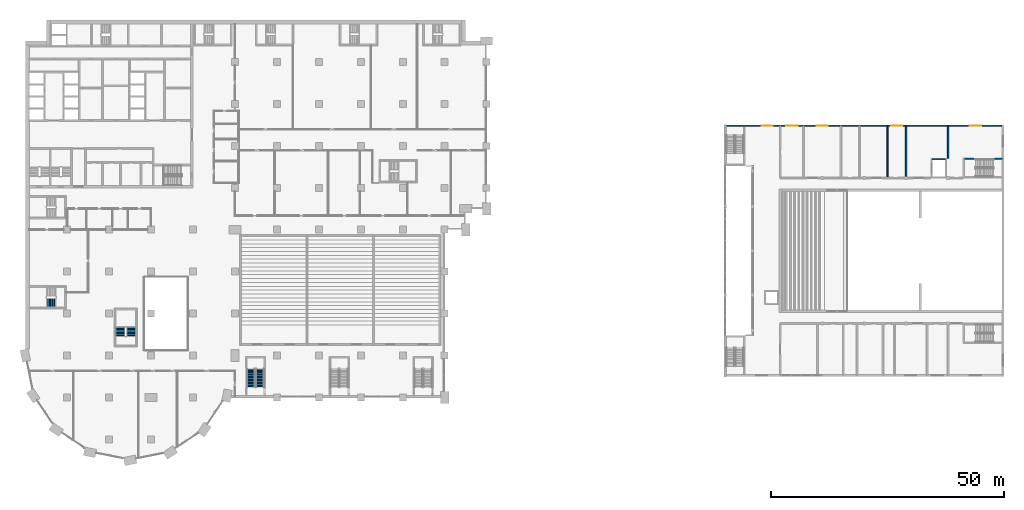
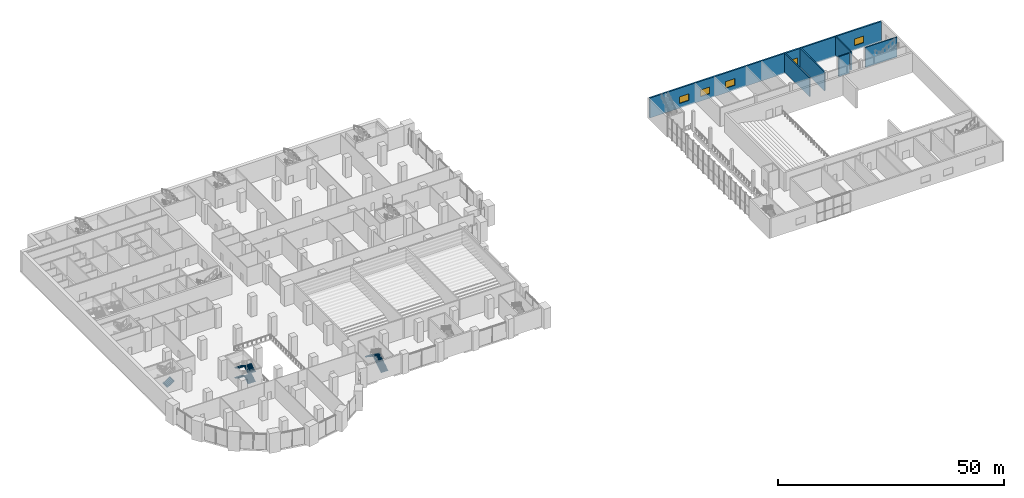
# One storey, part 24 of 44: 7 stair flights, 6 walls, 5 windows, 5 openings, 3 elements without a shape of their own.
"""IFC4 building model written with IfcOpenShell, lengths in metres."""

from ifc_helpers import new_model, si_unit, direction, frame, frame_2d, origin, place, context, subcontext, project, spatial, polyline, rectangle, outline, extrude, material, layer, layer_set, type_object, element, fill, aggregate, save


model = new_model("IFC4")

# Units and contexts
model_context = context("Model", 3, precision=1e-05, world=origin(), true_north=direction((0.0, 1.0)))
body_context = subcontext(model_context, "Body", "Model", "MODEL_VIEW")
ifc_project = project(units=[si_unit("LENGTHUNIT", "METRE"), si_unit("AREAUNIT", "SQUARE_METRE"), si_unit("VOLUMEUNIT", "CUBIC_METRE"), si_unit("PLANEANGLEUNIT", "RADIAN"), si_unit("MASSUNIT", "GRAM", prefix="KILO")], contexts=[model_context])

# Site, building, storey
site_placement = place(None, origin())
site = spatial("IfcSite", under=ifc_project, at=site_placement, CompositionType="ELEMENT")
building_placement = place(site_placement, origin())
building = spatial("IfcBuilding", under=site, at=building_placement, Name="Hunhe Ridgeline Campus", CompositionType="ELEMENT")
storey_placement = place(building_placement, frame((0.0, 0.0, 6.0)))
storey = spatial("IfcBuildingStorey", under=building, at=storey_placement, Name="L01", CompositionType="ELEMENT", Elevation=6.0)

# Walls
ifc_material_1 = material(Name="Plastered blockwork", Category="masonry")
ifc_layer_1 = layer(ifc_material_1, 0.300048828125)
ifc_layer_set_1 = layer_set([ifc_layer_1], Name="Hall blockwork partition 300")
wall_type_1 = type_object("IfcWallType", Name="Hall blockwork partition 300", PredefinedType="PARTITIONING", material=ifc_layer_set_1)
wall_1_placement = place(storey_placement, frame((198.0, 69.3798828125, 0.0), z_axis=(0.0, 0.0, 1.0), x_axis=(0.0, 1.0, 0.0)))
element("IfcWall", 1, at=wall_1_placement, inside=storey, type_object=wall_type_1, Name="L01 partition", PredefinedType="PARTITIONING", context=body_context, shape_type="SweptSolid", body=[
    extrude(rectangle(XDim=6.89013671875, YDim=0.300048828125, at=frame_2d((3.445068359375, 0.0))), origin(), (0.0, 0.0, 1.0), 5.050048828125),
])
wall_2_placement = place(storey_placement, frame((185.0, 65.080078125, 0.0), z_axis=(0.0, 0.0, 1.0), x_axis=(0.0, 1.0, 0.0)))
element("IfcWall", 2, at=wall_2_placement, inside=storey, type_object=wall_type_1, Name="L01 partition", PredefinedType="PARTITIONING", context=body_context, shape_type="SweptSolid", body=[
    extrude(rectangle(XDim=11.18994140625, YDim=0.300048828125, at=frame_2d((5.594970703125, 0.0))), origin(), (0.0, 0.0, 1.0), 5.050048828125),
])
wall_3_placement = place(storey_placement, frame((189.0, 65.39990234375, 0.0), z_axis=(0.0, 0.0, 1.0), x_axis=(0.0, 1.0, 0.0)))
element("IfcWall", 3, at=wall_3_placement, inside=storey, type_object=wall_type_1, Name="L01 partition", PredefinedType="PARTITIONING", context=body_context, shape_type="SweptSolid", body=[
    extrude(rectangle(XDim=10.8701171875, YDim=0.300048828125, at=frame_2d((5.43505859375, 0.0))), origin(), (0.0, 0.0, 1.0), 5.050048828125),
])

# Wall, openings, windows
ifc_material_2 = material(Name="Concrete C40", Category="concrete")
ifc_layer_2 = layer(ifc_material_2, 0.39990234375)
ifc_layer_set_2 = layer_set([ifc_layer_2], Name="Hall external RC wall 400 C40")
wall_type_2 = type_object("IfcWallType", Name="Hall external RC wall 400 C40", PredefinedType="SOLIDWALL", material=ifc_layer_set_2)
wall_4_placement = place(storey_placement, frame((150.39990234375, 76.300048828125, -0.35009765625), z_axis=(0.0, 0.0, 1.0), x_axis=(1.0, 0.0, 0.0)))
wall_4 = element("IfcWall", 4, at=wall_4_placement, inside=storey, type_object=wall_type_2, Name="Hall L01 north wall", PredefinedType="SOLIDWALL", context=body_context, shape_type="SweptSolid", body=[
    extrude(rectangle(XDim=59.2001953125, YDim=0.39990234375, at=frame_2d((29.60009765625, 0.0))), origin(), (0.0, 0.0, 1.0), 5.400146484375),
])
opening_1_placement = place(wall_4_placement, frame((7.60009765625, 0.0, 1.25)))
opening_1 = element("IfcOpeningElement", 5, at=opening_1_placement, cuts=wall_4, Name="Opening HWN05", PredefinedType="OPENING", context=body_context, shape_type="SweptSolid", body=[
    extrude(rectangle(XDim=2.39990234375, YDim=1.800048828125, at=frame_2d((1.199951171875, 0.89990234375))), frame((0.0, 0.199951171875, 0.0), z_axis=(0.0, -1.0, 0.0), x_axis=(1.0, 0.0, 0.0)), (0.0, 0.0, 1.0), 0.39990234375),
])
opening_2_placement = place(wall_4_placement, frame((12.89990234375, 0.0, 1.25)))
opening_2 = element("IfcOpeningElement", 6, at=opening_2_placement, cuts=wall_4, Name="Opening HWN23", PredefinedType="OPENING", context=body_context, shape_type="SweptSolid", body=[
    extrude(rectangle(XDim=2.39990234375, YDim=1.800048828125, at=frame_2d((1.199951171875, 0.89990234375))), frame((0.0, 0.199951171875, 0.0), z_axis=(0.0, -1.0, 0.0), x_axis=(1.0, 0.0, 0.0)), (0.0, 0.0, 1.0), 0.39990234375),
])
opening_3_placement = place(wall_4_placement, frame((19.39990234375, 0.0, 1.25)))
opening_3 = element("IfcOpeningElement", 7, at=opening_3_placement, cuts=wall_4, Name="Opening HWN24", PredefinedType="OPENING", context=body_context, shape_type="SweptSolid", body=[
    extrude(rectangle(XDim=2.39990234375, YDim=1.800048828125, at=frame_2d((1.199951171875, 0.89990234375))), frame((0.0, 0.199951171875, 0.0), z_axis=(0.0, -1.0, 0.0), x_axis=(1.0, 0.0, 0.0)), (0.0, 0.0, 1.0), 0.39990234375),
])
opening_4_placement = place(wall_4_placement, frame((35.39990234375, 0.0, 1.25)))
opening_4 = element("IfcOpeningElement", 8, at=opening_4_placement, cuts=wall_4, Name="Opening HWN25", PredefinedType="OPENING", context=body_context, shape_type="SweptSolid", body=[
    extrude(rectangle(XDim=2.39990234375, YDim=1.800048828125, at=frame_2d((1.199951171875, 0.89990234375))), frame((0.0, 0.199951171875, 0.0), z_axis=(0.0, -1.0, 0.0), x_axis=(1.0, 0.0, 0.0)), (0.0, 0.0, 1.0), 0.39990234375),
])
opening_5_placement = place(wall_4_placement, frame((52.280029296875, 0.0, 1.25)))
opening_5 = element("IfcOpeningElement", 9, at=opening_5_placement, cuts=wall_4, Name="Opening HWN26", PredefinedType="OPENING", context=body_context, shape_type="SweptSolid", body=[
    extrude(rectangle(XDim=2.39990234375, YDim=1.800048828125, at=frame_2d((1.199951171875, 0.89990234375))), frame((0.0, 0.199951171875, 0.0), z_axis=(0.0, -1.0, 0.0), x_axis=(1.0, 0.0, 0.0)), (0.0, 0.0, 1.0), 0.39990234375),
])
ifc_material_3 = material(Name="Aluminium and glass", Category="aluminium")
window_type = type_object("IfcWindowType", Name="Hall window 2400x1800", PartitioningType="SINGLE_PANEL", PredefinedType="WINDOW", material=ifc_material_3)
window_1_placement = place(opening_1_placement, origin())
window_1 = element("IfcWindow", 10, at=window_1_placement, inside=storey, type_object=window_type, Name="L01 window", OverallHeight=1.800048828125, OverallWidth=2.39990234375, PartitioningType="SINGLE_PANEL", PredefinedType="WINDOW", context=body_context, shape_type="SweptSolid", body=[
    extrude(rectangle(XDim=2.39990234375, YDim=1.800048828125, at=frame_2d((1.199951171875, 0.89990234375))), frame((0.0, 0.030029296875, 0.0), z_axis=(0.0, -1.0, 0.0), x_axis=(1.0, 0.0, 0.0)), (0.0, 0.0, 1.0), 0.06005859375),
])
fill(opening_1, window_1)
window_2_placement = place(opening_2_placement, origin())
window_2 = element("IfcWindow", 11, at=window_2_placement, inside=storey, type_object=window_type, Name="L01 window", OverallHeight=1.800048828125, OverallWidth=2.39990234375, PartitioningType="SINGLE_PANEL", PredefinedType="WINDOW", context=body_context, shape_type="SweptSolid", body=[
    extrude(rectangle(XDim=2.39990234375, YDim=1.800048828125, at=frame_2d((1.199951171875, 0.89990234375))), frame((0.0, 0.030029296875, 0.0), z_axis=(0.0, -1.0, 0.0), x_axis=(1.0, 0.0, 0.0)), (0.0, 0.0, 1.0), 0.06005859375),
])
fill(opening_2, window_2)
window_3_placement = place(opening_3_placement, origin())
window_3 = element("IfcWindow", 12, at=window_3_placement, inside=storey, type_object=window_type, Name="L01 window", OverallHeight=1.800048828125, OverallWidth=2.39990234375, PartitioningType="SINGLE_PANEL", PredefinedType="WINDOW", context=body_context, shape_type="SweptSolid", body=[
    extrude(rectangle(XDim=2.39990234375, YDim=1.800048828125, at=frame_2d((1.199951171875, 0.89990234375))), frame((0.0, 0.030029296875, 0.0), z_axis=(0.0, -1.0, 0.0), x_axis=(1.0, 0.0, 0.0)), (0.0, 0.0, 1.0), 0.06005859375),
])
fill(opening_3, window_3)
window_4_placement = place(opening_4_placement, origin())
window_4 = element("IfcWindow", 13, at=window_4_placement, inside=storey, type_object=window_type, Name="L01 window", OverallHeight=1.800048828125, OverallWidth=2.39990234375, PartitioningType="SINGLE_PANEL", PredefinedType="WINDOW", context=body_context, shape_type="SweptSolid", body=[
    extrude(rectangle(XDim=2.39990234375, YDim=1.800048828125, at=frame_2d((1.199951171875, 0.89990234375))), frame((0.0, 0.030029296875, 0.0), z_axis=(0.0, -1.0, 0.0), x_axis=(1.0, 0.0, 0.0)), (0.0, 0.0, 1.0), 0.06005859375),
])
fill(opening_4, window_4)
window_5_placement = place(opening_5_placement, origin())
window_5 = element("IfcWindow", 14, at=window_5_placement, inside=storey, type_object=window_type, Name="L01 window", OverallHeight=1.800048828125, OverallWidth=2.39990234375, PartitioningType="SINGLE_PANEL", PredefinedType="WINDOW", context=body_context, shape_type="SweptSolid", body=[
    extrude(rectangle(XDim=2.39990234375, YDim=1.800048828125, at=frame_2d((1.199951171875, 0.89990234375))), frame((0.0, 0.030029296875, 0.0), z_axis=(0.0, -1.0, 0.0), x_axis=(1.0, 0.0, 0.0)), (0.0, 0.0, 1.0), 0.06005859375),
])
fill(opening_5, window_5)

# Walls
ifc_layer_3 = layer(ifc_material_2, 0.25)
ifc_layer_set_3 = layer_set([ifc_layer_3], Name="Hall shaft wall 250 C40")
wall_type_3 = type_object("IfcWallType", Name="Hall shaft wall 250 C40", PredefinedType="SOLIDWALL", material=ifc_layer_set_3)
wall_5_placement = place(storey_placement, frame((201.5, 69.22509765625, -0.35009765625), z_axis=(0.0, 0.0, 1.0), x_axis=(1.0, 0.0, 0.0)))
element("IfcWall", 15, at=wall_5_placement, inside=storey, type_object=wall_type_3, Name="L01 stair HS4 shaft wall", PredefinedType="SOLIDWALL", context=body_context, shape_type="SweptSolid", body=[
    extrude(rectangle(XDim=8.10009765625, YDim=0.25, at=frame_2d((4.050048828125, 0.0))), origin(), (0.0, 0.0, 1.0), 5.400146484375),
])
wall_6_placement = place(storey_placement, frame((194.60009765625, 69.125, -0.35009765625), z_axis=(0.0, 0.0, 1.0), x_axis=(1.0, 0.0, 0.0)))
element("IfcWall", 16, at=wall_6_placement, inside=storey, type_object=wall_type_3, Name="L01 lift HL2 shaft wall", PredefinedType="SOLIDWALL", context=body_context, shape_type="SweptSolid", body=[
    extrude(rectangle(XDim=2.7998046875, YDim=0.25, at=frame_2d((1.39990234375, 0.0))), origin(), (0.0, 0.0, 1.0), 5.400146484375),
])

# Stair, stair flights
stair_type_1 = type_object("IfcStairType", Name="Podium exit stair 1800", PredefinedType="HALF_TURN_STAIR", material=ifc_material_2)
stair_1_placement = place(storey_placement, origin())
stair_1 = element("IfcStair", 17, at=stair_1_placement, inside=storey, type_object=stair_type_1, Name="L01 podium stair PS1", PredefinedType="HALF_TURN_STAIR")
stair_flight_type_1 = type_object("IfcStairFlightType", Name="Podium stair flight 1800", PredefinedType="STRAIGHT", material=ifc_material_2)
stair_flight_1_placement = place(storey_placement, frame((50.35009765625, 20.199951171875, 0.0), z_axis=(0.0, 0.0, 1.0), x_axis=(0.0, 1.0, 0.0)))
stair_flight_1 = element("IfcStairFlight", 18, at=stair_flight_1_placement, type_object=stair_flight_type_1, Name="PS1 flight 1", NumberOfRisers=16, NumberOfTreads=15, PredefinedType="STRAIGHT", RiserHeight=0.16875, TreadLength=0.26, context=body_context, shape_type="SweptSolid", body=[
    extrude(outline(polyline([(0.0, 0.0), (0.0, 0.168701171875), (0.260009765625, 0.168701171875), (0.260009765625, 0.33740234375), (0.52001953125, 0.33740234375), (0.52001953125, 0.50634765625), (0.780029296875, 0.50634765625), (0.780029296875, 0.675048828125), (1.0400390625, 0.675048828125), (1.0400390625, 0.84375), (1.300048828125, 0.84375), (1.300048828125, 1.012451171875), (1.56005859375, 1.012451171875), (1.56005859375, 1.18115234375), (1.820068359375, 1.18115234375), (1.820068359375, 1.35009765625), (2.080078125, 1.35009765625), (2.080078125, 1.518798828125), (2.340087890625, 1.518798828125), (2.340087890625, 1.6875), (2.60009765625, 1.6875), (2.60009765625, 1.856201171875), (2.860107421875, 1.856201171875), (2.860107421875, 2.02490234375), (3.1201171875, 2.02490234375), (3.1201171875, 2.19384765625), (3.3798828125, 2.19384765625), (3.3798828125, 2.362548828125), (3.639892578125, 2.362548828125), (3.639892578125, 2.53125), (3.89990234375, 2.53125), (3.89990234375, 2.699951171875), (3.89990234375, 2.3525390625), (0.275390625, 0.0), (0.0, 0.0)])), frame((0.0, 0.89990234375, 0.0), z_axis=(0.0, -1.0, 0.0), x_axis=(1.0, 0.0, 0.0)), (0.0, 0.0, 1.0), 1.800048828125),
])
stair_flight_2_placement = place(storey_placement, frame((48.39990234375, 24.10009765625, 2.699951171875), z_axis=(0.0, 0.0, 1.0), x_axis=(0.0, -1.0, 0.0)))
stair_flight_2 = element("IfcStairFlight", 19, at=stair_flight_2_placement, type_object=stair_flight_type_1, Name="PS1 flight 2", NumberOfRisers=16, NumberOfTreads=15, PredefinedType="STRAIGHT", RiserHeight=0.16875, TreadLength=0.26, context=body_context, shape_type="SweptSolid", body=[
    extrude(outline(polyline([(0.0, 0.0), (0.0, 0.168701171875), (0.260009765625, 0.168701171875), (0.260009765625, 0.33740234375), (0.52001953125, 0.33740234375), (0.52001953125, 0.50634765625), (0.780029296875, 0.50634765625), (0.780029296875, 0.675048828125), (1.0400390625, 0.675048828125), (1.0400390625, 0.84375), (1.300048828125, 0.84375), (1.300048828125, 1.012451171875), (1.56005859375, 1.012451171875), (1.56005859375, 1.18115234375), (1.820068359375, 1.18115234375), (1.820068359375, 1.35009765625), (2.080078125, 1.35009765625), (2.080078125, 1.518798828125), (2.340087890625, 1.518798828125), (2.340087890625, 1.6875), (2.60009765625, 1.6875), (2.60009765625, 1.856201171875), (2.860107421875, 1.856201171875), (2.860107421875, 2.02490234375), (3.1201171875, 2.02490234375), (3.1201171875, 2.19384765625), (3.3798828125, 2.19384765625), (3.3798828125, 2.362548828125), (3.639892578125, 2.362548828125), (3.639892578125, 2.53125), (3.89990234375, 2.53125), (3.89990234375, 2.699951171875), (3.89990234375, 2.3525390625), (0.275390625, 0.0), (0.0, 0.0)])), frame((0.0, 0.89990234375, 0.0), z_axis=(0.0, -1.0, 0.0), x_axis=(1.0, 0.0, 0.0)), (0.0, 0.0, 1.0), 1.800048828125),
])
aggregate(stair_1, [stair_flight_1, stair_flight_2])

stair_type_2 = type_object("IfcStairType", Name="Reinforced concrete dog-leg stair 1950 Concrete C40", PredefinedType="HALF_TURN_STAIR", material=ifc_material_2)
stair_2_placement = place(storey_placement, origin())
stair_2 = element("IfcStair", 20, at=stair_2_placement, inside=storey, type_object=stair_type_2, Name="L01 W3", PredefinedType="HALF_TURN_STAIR")
stair_flight_type_2 = type_object("IfcStairFlightType", Name="Reinforced concrete stair flight 1950 Concrete C40", PredefinedType="STRAIGHT", material=ifc_material_2)
stair_flight_3_placement = place(storey_placement, frame((22.72509765625, 31.14990234375, 0.0), z_axis=(0.0, 0.0, 1.0), x_axis=(0.0, 1.0, 0.0)))
stair_flight_3 = element("IfcStairFlight", 21, at=stair_flight_3_placement, type_object=stair_flight_type_2, Name="ST9 flight 1", NumberOfRisers=8, NumberOfTreads=7, PredefinedType="STRAIGHT", RiserHeight=0.16875, TreadLength=0.28, context=body_context, shape_type="SweptSolid", body=[
    extrude(outline(polyline([(0.0, 0.0), (0.0, 0.168701171875), (0.280029296875, 0.168701171875), (0.280029296875, 0.33740234375), (0.56005859375, 0.33740234375), (0.56005859375, 0.50634765625), (0.840087890625, 0.50634765625), (0.840087890625, 0.675048828125), (1.1201171875, 0.675048828125), (1.1201171875, 0.84375), (1.39990234375, 0.84375), (1.39990234375, 1.012451171875), (1.679931640625, 1.012451171875), (1.679931640625, 1.18115234375), (1.9599609375, 1.18115234375), (1.9599609375, 1.35009765625), (1.9599609375, 1.00634765625), (0.29052734375, 0.0), (0.0, 0.0)])), frame((0.0, 0.97509765625, 0.0), z_axis=(0.0, -1.0, 0.0), x_axis=(1.0, 0.0, 0.0)), (0.0, 0.0, 1.0), 1.949951171875),
    extrude(outline(polyline([(0.030029296875, 0.030029296875), (0.030029296875, 0.138916015625), (0.31005859375, 0.138916015625), (0.31005859375, 0.3076171875), (0.590087890625, 0.3076171875), (0.590087890625, 0.476318359375), (0.8701171875, 0.476318359375), (0.8701171875, 0.64501953125), (1.14990234375, 0.64501953125), (1.14990234375, 0.813720703125), (1.429931640625, 0.813720703125), (1.429931640625, 0.982421875), (1.7099609375, 0.982421875), (1.7099609375, 1.1513671875), (1.929931640625, 1.1513671875), (1.929931640625, 1.023193359375), (0.281982421875, 0.030029296875), (0.030029296875, 0.030029296875)])), frame((0.0, -0.070068359375, 0.0), z_axis=(0.0, -1.0, 0.0), x_axis=(1.0, 0.0, 0.0)), (0.0, 0.0, 1.0), 0.019775390625),
    extrude(outline(polyline([(0.030029296875, 0.030029296875), (0.030029296875, 0.138916015625), (0.31005859375, 0.138916015625), (0.31005859375, 0.3076171875), (0.590087890625, 0.3076171875), (0.590087890625, 0.476318359375), (0.8701171875, 0.476318359375), (0.8701171875, 0.64501953125), (1.14990234375, 0.64501953125), (1.14990234375, 0.813720703125), (1.429931640625, 0.813720703125), (1.429931640625, 0.982421875), (1.7099609375, 0.982421875), (1.7099609375, 1.1513671875), (1.929931640625, 1.1513671875), (1.929931640625, 1.023193359375), (0.281982421875, 0.030029296875), (0.030029296875, 0.030029296875)])), frame((0.0, 0.010009765625, 0.0), z_axis=(0.0, -1.0, 0.0), x_axis=(1.0, 0.0, 0.0)), (0.0, 0.0, 1.0), 0.019775390625),
    extrude(outline(polyline([(0.030029296875, 0.030029296875), (0.030029296875, 0.138916015625), (0.31005859375, 0.138916015625), (0.31005859375, 0.3076171875), (0.590087890625, 0.3076171875), (0.590087890625, 0.476318359375), (0.8701171875, 0.476318359375), (0.8701171875, 0.64501953125), (1.14990234375, 0.64501953125), (1.14990234375, 0.813720703125), (1.429931640625, 0.813720703125), (1.429931640625, 0.982421875), (1.7099609375, 0.982421875), (1.7099609375, 1.1513671875), (1.929931640625, 1.1513671875), (1.929931640625, 1.023193359375), (0.281982421875, 0.030029296875), (0.030029296875, 0.030029296875)])), frame((0.0, 0.090087890625, 0.0), z_axis=(0.0, -1.0, 0.0), x_axis=(1.0, 0.0, 0.0)), (0.0, 0.0, 1.0), 0.019775390625),
])
stair_flight_4_placement = place(storey_placement, frame((20.375, 33.110107421875, 1.35009765625), z_axis=(0.0, 0.0, 1.0), x_axis=(0.0, -1.0, 0.0)))
stair_flight_4 = element("IfcStairFlight", 22, at=stair_flight_4_placement, type_object=stair_flight_type_2, Name="ST9 flight 2", NumberOfRisers=8, NumberOfTreads=7, PredefinedType="STRAIGHT", RiserHeight=0.16875, TreadLength=0.28, context=body_context, shape_type="SweptSolid", body=[
    extrude(outline(polyline([(0.0, 0.0), (0.0, 0.168701171875), (0.280029296875, 0.168701171875), (0.280029296875, 0.33740234375), (0.56005859375, 0.33740234375), (0.56005859375, 0.50634765625), (0.840087890625, 0.50634765625), (0.840087890625, 0.675048828125), (1.1201171875, 0.675048828125), (1.1201171875, 0.84375), (1.39990234375, 0.84375), (1.39990234375, 1.012451171875), (1.679931640625, 1.012451171875), (1.679931640625, 1.18115234375), (1.9599609375, 1.18115234375), (1.9599609375, 1.35009765625), (1.9599609375, 1.00634765625), (0.29052734375, 0.0), (0.0, 0.0)])), frame((0.0, 0.97509765625, 0.0), z_axis=(0.0, -1.0, 0.0), x_axis=(1.0, 0.0, 0.0)), (0.0, 0.0, 1.0), 1.949951171875),
    extrude(outline(polyline([(0.030029296875, 0.030029296875), (0.030029296875, 0.138916015625), (0.31005859375, 0.138916015625), (0.31005859375, 0.3076171875), (0.590087890625, 0.3076171875), (0.590087890625, 0.476318359375), (0.8701171875, 0.476318359375), (0.8701171875, 0.64501953125), (1.14990234375, 0.64501953125), (1.14990234375, 0.813720703125), (1.429931640625, 0.813720703125), (1.429931640625, 0.982421875), (1.7099609375, 0.982421875), (1.7099609375, 1.1513671875), (1.929931640625, 1.1513671875), (1.929931640625, 1.023193359375), (0.281982421875, 0.030029296875), (0.030029296875, 0.030029296875)])), frame((0.0, -0.070068359375, 0.0), z_axis=(0.0, -1.0, 0.0), x_axis=(1.0, 0.0, 0.0)), (0.0, 0.0, 1.0), 0.019775390625),
    extrude(outline(polyline([(0.030029296875, 0.030029296875), (0.030029296875, 0.138916015625), (0.31005859375, 0.138916015625), (0.31005859375, 0.3076171875), (0.590087890625, 0.3076171875), (0.590087890625, 0.476318359375), (0.8701171875, 0.476318359375), (0.8701171875, 0.64501953125), (1.14990234375, 0.64501953125), (1.14990234375, 0.813720703125), (1.429931640625, 0.813720703125), (1.429931640625, 0.982421875), (1.7099609375, 0.982421875), (1.7099609375, 1.1513671875), (1.929931640625, 1.1513671875), (1.929931640625, 1.023193359375), (0.281982421875, 0.030029296875), (0.030029296875, 0.030029296875)])), frame((0.0, 0.010009765625, 0.0), z_axis=(0.0, -1.0, 0.0), x_axis=(1.0, 0.0, 0.0)), (0.0, 0.0, 1.0), 0.019775390625),
    extrude(outline(polyline([(0.030029296875, 0.030029296875), (0.030029296875, 0.138916015625), (0.31005859375, 0.138916015625), (0.31005859375, 0.3076171875), (0.590087890625, 0.3076171875), (0.590087890625, 0.476318359375), (0.8701171875, 0.476318359375), (0.8701171875, 0.64501953125), (1.14990234375, 0.64501953125), (1.14990234375, 0.813720703125), (1.429931640625, 0.813720703125), (1.429931640625, 0.982421875), (1.7099609375, 0.982421875), (1.7099609375, 1.1513671875), (1.929931640625, 1.1513671875), (1.929931640625, 1.023193359375), (0.281982421875, 0.030029296875), (0.030029296875, 0.030029296875)])), frame((0.0, 0.090087890625, 0.0), z_axis=(0.0, -1.0, 0.0), x_axis=(1.0, 0.0, 0.0)), (0.0, 0.0, 1.0), 0.019775390625),
])
stair_flight_5_placement = place(storey_placement, frame((22.72509765625, 31.14990234375, 2.699951171875), z_axis=(0.0, 0.0, 1.0), x_axis=(0.0, 1.0, 0.0)))
stair_flight_5 = element("IfcStairFlight", 23, at=stair_flight_5_placement, type_object=stair_flight_type_2, Name="ST9 flight 3", NumberOfRisers=8, NumberOfTreads=7, PredefinedType="STRAIGHT", RiserHeight=0.16875, TreadLength=0.28, context=body_context, shape_type="SweptSolid", body=[
    extrude(outline(polyline([(0.0, 0.0), (0.0, 0.168701171875), (0.280029296875, 0.168701171875), (0.280029296875, 0.33740234375), (0.56005859375, 0.33740234375), (0.56005859375, 0.50634765625), (0.840087890625, 0.50634765625), (0.840087890625, 0.675048828125), (1.1201171875, 0.675048828125), (1.1201171875, 0.84375), (1.39990234375, 0.84375), (1.39990234375, 1.012451171875), (1.679931640625, 1.012451171875), (1.679931640625, 1.18115234375), (1.9599609375, 1.18115234375), (1.9599609375, 1.35009765625), (1.9599609375, 1.00634765625), (0.29052734375, 0.0), (0.0, 0.0)])), frame((0.0, 0.97509765625, 0.0), z_axis=(0.0, -1.0, 0.0), x_axis=(1.0, 0.0, 0.0)), (0.0, 0.0, 1.0), 1.949951171875),
    extrude(outline(polyline([(0.030029296875, 0.030029296875), (0.030029296875, 0.138916015625), (0.31005859375, 0.138916015625), (0.31005859375, 0.3076171875), (0.590087890625, 0.3076171875), (0.590087890625, 0.476318359375), (0.8701171875, 0.476318359375), (0.8701171875, 0.64501953125), (1.14990234375, 0.64501953125), (1.14990234375, 0.813720703125), (1.429931640625, 0.813720703125), (1.429931640625, 0.982421875), (1.7099609375, 0.982421875), (1.7099609375, 1.1513671875), (1.929931640625, 1.1513671875), (1.929931640625, 1.023193359375), (0.281982421875, 0.030029296875), (0.030029296875, 0.030029296875)])), frame((0.0, -0.070068359375, 0.0), z_axis=(0.0, -1.0, 0.0), x_axis=(1.0, 0.0, 0.0)), (0.0, 0.0, 1.0), 0.019775390625),
    extrude(outline(polyline([(0.030029296875, 0.030029296875), (0.030029296875, 0.138916015625), (0.31005859375, 0.138916015625), (0.31005859375, 0.3076171875), (0.590087890625, 0.3076171875), (0.590087890625, 0.476318359375), (0.8701171875, 0.476318359375), (0.8701171875, 0.64501953125), (1.14990234375, 0.64501953125), (1.14990234375, 0.813720703125), (1.429931640625, 0.813720703125), (1.429931640625, 0.982421875), (1.7099609375, 0.982421875), (1.7099609375, 1.1513671875), (1.929931640625, 1.1513671875), (1.929931640625, 1.023193359375), (0.281982421875, 0.030029296875), (0.030029296875, 0.030029296875)])), frame((0.0, 0.010009765625, 0.0), z_axis=(0.0, -1.0, 0.0), x_axis=(1.0, 0.0, 0.0)), (0.0, 0.0, 1.0), 0.019775390625),
    extrude(outline(polyline([(0.030029296875, 0.030029296875), (0.030029296875, 0.138916015625), (0.31005859375, 0.138916015625), (0.31005859375, 0.3076171875), (0.590087890625, 0.3076171875), (0.590087890625, 0.476318359375), (0.8701171875, 0.476318359375), (0.8701171875, 0.64501953125), (1.14990234375, 0.64501953125), (1.14990234375, 0.813720703125), (1.429931640625, 0.813720703125), (1.429931640625, 0.982421875), (1.7099609375, 0.982421875), (1.7099609375, 1.1513671875), (1.929931640625, 1.1513671875), (1.929931640625, 1.023193359375), (0.281982421875, 0.030029296875), (0.030029296875, 0.030029296875)])), frame((0.0, 0.090087890625, 0.0), z_axis=(0.0, -1.0, 0.0), x_axis=(1.0, 0.0, 0.0)), (0.0, 0.0, 1.0), 0.019775390625),
])
stair_flight_6_placement = place(storey_placement, frame((20.375, 33.110107421875, 4.050048828125), z_axis=(0.0, 0.0, 1.0), x_axis=(0.0, -1.0, 0.0)))
stair_flight_6 = element("IfcStairFlight", 24, at=stair_flight_6_placement, type_object=stair_flight_type_2, Name="ST9 flight 4", NumberOfRisers=8, NumberOfTreads=7, PredefinedType="STRAIGHT", RiserHeight=0.16875, TreadLength=0.28, context=body_context, shape_type="SweptSolid", body=[
    extrude(outline(polyline([(0.0, 0.0), (0.0, 0.168701171875), (0.280029296875, 0.168701171875), (0.280029296875, 0.33740234375), (0.56005859375, 0.33740234375), (0.56005859375, 0.50634765625), (0.840087890625, 0.50634765625), (0.840087890625, 0.675048828125), (1.1201171875, 0.675048828125), (1.1201171875, 0.84375), (1.39990234375, 0.84375), (1.39990234375, 1.012451171875), (1.679931640625, 1.012451171875), (1.679931640625, 1.18115234375), (1.9599609375, 1.18115234375), (1.9599609375, 1.35009765625), (1.9599609375, 1.00634765625), (0.29052734375, 0.0), (0.0, 0.0)])), frame((0.0, 0.97509765625, 0.0), z_axis=(0.0, -1.0, 0.0), x_axis=(1.0, 0.0, 0.0)), (0.0, 0.0, 1.0), 1.949951171875),
    extrude(outline(polyline([(0.030029296875, 0.030029296875), (0.030029296875, 0.138916015625), (0.31005859375, 0.138916015625), (0.31005859375, 0.3076171875), (0.590087890625, 0.3076171875), (0.590087890625, 0.476318359375), (0.8701171875, 0.476318359375), (0.8701171875, 0.64501953125), (1.14990234375, 0.64501953125), (1.14990234375, 0.813720703125), (1.429931640625, 0.813720703125), (1.429931640625, 0.982421875), (1.7099609375, 0.982421875), (1.7099609375, 1.1513671875), (1.929931640625, 1.1513671875), (1.929931640625, 1.023193359375), (0.281982421875, 0.030029296875), (0.030029296875, 0.030029296875)])), frame((0.0, -0.070068359375, 0.0), z_axis=(0.0, -1.0, 0.0), x_axis=(1.0, 0.0, 0.0)), (0.0, 0.0, 1.0), 0.019775390625),
    extrude(outline(polyline([(0.030029296875, 0.030029296875), (0.030029296875, 0.138916015625), (0.31005859375, 0.138916015625), (0.31005859375, 0.3076171875), (0.590087890625, 0.3076171875), (0.590087890625, 0.476318359375), (0.8701171875, 0.476318359375), (0.8701171875, 0.64501953125), (1.14990234375, 0.64501953125), (1.14990234375, 0.813720703125), (1.429931640625, 0.813720703125), (1.429931640625, 0.982421875), (1.7099609375, 0.982421875), (1.7099609375, 1.1513671875), (1.929931640625, 1.1513671875), (1.929931640625, 1.023193359375), (0.281982421875, 0.030029296875), (0.030029296875, 0.030029296875)])), frame((0.0, 0.010009765625, 0.0), z_axis=(0.0, -1.0, 0.0), x_axis=(1.0, 0.0, 0.0)), (0.0, 0.0, 1.0), 0.019775390625),
    extrude(outline(polyline([(0.030029296875, 0.030029296875), (0.030029296875, 0.138916015625), (0.31005859375, 0.138916015625), (0.31005859375, 0.3076171875), (0.590087890625, 0.3076171875), (0.590087890625, 0.476318359375), (0.8701171875, 0.476318359375), (0.8701171875, 0.64501953125), (1.14990234375, 0.64501953125), (1.14990234375, 0.813720703125), (1.429931640625, 0.813720703125), (1.429931640625, 0.982421875), (1.7099609375, 0.982421875), (1.7099609375, 1.1513671875), (1.929931640625, 1.1513671875), (1.929931640625, 1.023193359375), (0.281982421875, 0.030029296875), (0.030029296875, 0.030029296875)])), frame((0.0, 0.090087890625, 0.0), z_axis=(0.0, -1.0, 0.0), x_axis=(1.0, 0.0, 0.0)), (0.0, 0.0, 1.0), 0.019775390625),
])
aggregate(stair_2, [stair_flight_3, stair_flight_4, stair_flight_5, stair_flight_6])

# Stair, stair flight
stair_3_placement = place(storey_placement, origin())
stair_3 = element("IfcStair", 25, at=stair_3_placement, inside=storey, type_object=stair_type_2, Name="L01 W1", PredefinedType="HALF_TURN_STAIR")
stair_flight_7_placement = place(storey_placement, frame((4.590087890625, 38.324951171875, 1.35009765625), z_axis=(0.0, 0.0, 1.0), x_axis=(1.0, 0.0, 0.0)))
stair_flight_7 = element("IfcStairFlight", 26, at=stair_flight_7_placement, type_object=stair_flight_type_2, Name="ST11 flight 2", NumberOfRisers=8, NumberOfTreads=7, PredefinedType="STRAIGHT", RiserHeight=0.16875, TreadLength=0.28, context=body_context, shape_type="SweptSolid", body=[
    extrude(outline(polyline([(0.0, 0.0), (0.0, 0.168701171875), (0.280029296875, 0.168701171875), (0.280029296875, 0.33740234375), (0.56005859375, 0.33740234375), (0.56005859375, 0.50634765625), (0.840087890625, 0.50634765625), (0.840087890625, 0.675048828125), (1.1201171875, 0.675048828125), (1.1201171875, 0.84375), (1.39990234375, 0.84375), (1.39990234375, 1.012451171875), (1.679931640625, 1.012451171875), (1.679931640625, 1.18115234375), (1.9599609375, 1.18115234375), (1.9599609375, 1.35009765625), (1.9599609375, 1.00634765625), (0.29052734375, 0.0), (0.0, 0.0)])), frame((0.0, 0.97509765625, 0.0), z_axis=(0.0, -1.0, 0.0), x_axis=(1.0, 0.0, 0.0)), (0.0, 0.0, 1.0), 1.949951171875),
    extrude(outline(polyline([(0.030029296875, 0.030029296875), (0.030029296875, 0.138916015625), (0.31005859375, 0.138916015625), (0.31005859375, 0.3076171875), (0.590087890625, 0.3076171875), (0.590087890625, 0.476318359375), (0.8701171875, 0.476318359375), (0.8701171875, 0.64501953125), (1.14990234375, 0.64501953125), (1.14990234375, 0.813720703125), (1.429931640625, 0.813720703125), (1.429931640625, 0.982421875), (1.7099609375, 0.982421875), (1.7099609375, 1.1513671875), (1.929931640625, 1.1513671875), (1.929931640625, 1.023193359375), (0.281982421875, 0.030029296875), (0.030029296875, 0.030029296875)])), frame((0.0, -0.070068359375, 0.0), z_axis=(0.0, -1.0, 0.0), x_axis=(1.0, 0.0, 0.0)), (0.0, 0.0, 1.0), 0.019775390625),
    extrude(outline(polyline([(0.030029296875, 0.030029296875), (0.030029296875, 0.138916015625), (0.31005859375, 0.138916015625), (0.31005859375, 0.3076171875), (0.590087890625, 0.3076171875), (0.590087890625, 0.476318359375), (0.8701171875, 0.476318359375), (0.8701171875, 0.64501953125), (1.14990234375, 0.64501953125), (1.14990234375, 0.813720703125), (1.429931640625, 0.813720703125), (1.429931640625, 0.982421875), (1.7099609375, 0.982421875), (1.7099609375, 1.1513671875), (1.929931640625, 1.1513671875), (1.929931640625, 1.023193359375), (0.281982421875, 0.030029296875), (0.030029296875, 0.030029296875)])), frame((0.0, 0.010009765625, 0.0), z_axis=(0.0, -1.0, 0.0), x_axis=(1.0, 0.0, 0.0)), (0.0, 0.0, 1.0), 0.019775390625),
    extrude(outline(polyline([(0.030029296875, 0.030029296875), (0.030029296875, 0.138916015625), (0.31005859375, 0.138916015625), (0.31005859375, 0.3076171875), (0.590087890625, 0.3076171875), (0.590087890625, 0.476318359375), (0.8701171875, 0.476318359375), (0.8701171875, 0.64501953125), (1.14990234375, 0.64501953125), (1.14990234375, 0.813720703125), (1.429931640625, 0.813720703125), (1.429931640625, 0.982421875), (1.7099609375, 0.982421875), (1.7099609375, 1.1513671875), (1.929931640625, 1.1513671875), (1.929931640625, 1.023193359375), (0.281982421875, 0.030029296875), (0.030029296875, 0.030029296875)])), frame((0.0, 0.090087890625, 0.0), z_axis=(0.0, -1.0, 0.0), x_axis=(1.0, 0.0, 0.0)), (0.0, 0.0, 1.0), 0.019775390625),
])
aggregate(stair_3, [stair_flight_7])

save(model, "model.ifc")
